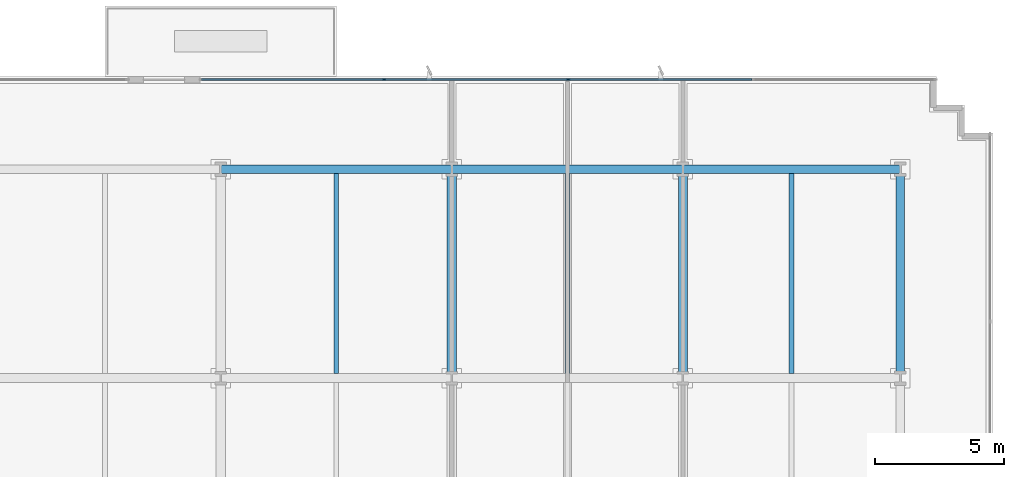
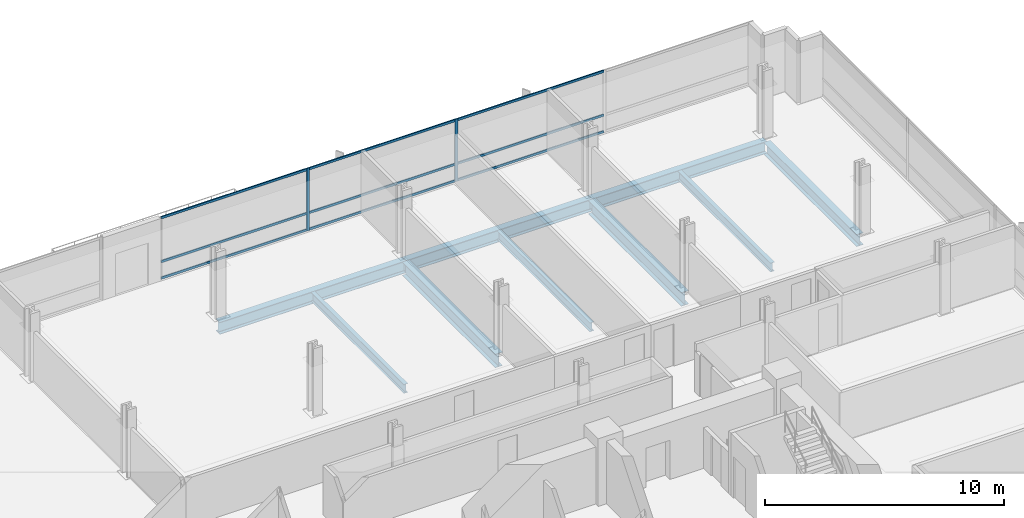
# One storey, part 10 of 21: 11 members, 9 beams, 1 element without a shape of its own.
"""IFC4 building model written with IfcOpenShell, lengths in metres."""

from ifc_helpers import new_model, si_unit, direction, frame, origin, origin_2d, place, context, subcontext, project, spatial, rectangle, i_section, extrude, material, material_profile, profile_set, type_object, element, aggregate, save


model = new_model("IFC4")

# Units and contexts
model_context = context("Model", 3, precision=1e-05, world=origin(), true_north=direction((0.0, 1.0)))
body_context = subcontext(model_context, "Body", "Model", "MODEL_VIEW")
ifc_project = project(units=[si_unit("LENGTHUNIT", "METRE"), si_unit("AREAUNIT", "SQUARE_METRE"), si_unit("VOLUMEUNIT", "CUBIC_METRE"), si_unit("PLANEANGLEUNIT", "RADIAN"), si_unit("MASSUNIT", "GRAM", prefix="KILO")], contexts=[model_context])

# Site, building, storey
site_placement = place(None, origin())
site = spatial("IfcSite", under=ifc_project, at=site_placement, CompositionType="ELEMENT")
building_placement = place(site_placement, origin())
building = spatial("IfcBuilding", under=site, at=building_placement, Name="Solmavex Isthmus Hotel", CompositionType="ELEMENT")
storey_placement = place(building_placement, frame((0.0, 0.0, 54.0)))
storey = spatial("IfcBuildingStorey", under=building, at=storey_placement, Name="L14", CompositionType="ELEMENT", Elevation=54.0)

# Beams
ifc_material_1 = material(Name="Steel ASTM A992 Grade 50", Category="steel")
ifc_material_profile_1 = material_profile(ifc_material_1, i_section(OverallWidth=0.354736328125, OverallDepth=0.695556640625, WebThickness=0.015380859375, FlangeThickness=0.02490234375, FilletRadius=0.017822265625, at=origin_2d()), Name="W27X146")
ifc_profile_set_1 = profile_set([ifc_material_profile_1], Name="Steel ASTM A992 Grade 50")
beam_type_1 = type_object("IfcBeamType", Name="BM-BG-W27X146", PredefinedType="BEAM", material=ifc_profile_set_1)
for number, where, z_axis, x_axis, name in (
    (1, (8.97607421875, 8.96533203125, -0.607666015625), (0.0, 1.0, 0.0), (-1.0, 0.0, 0.0), "Floor Beam L14-VG42"),
    (2, (17.951904296875, 8.96533203125, -0.607666015625), (0.0, 1.0, 0.0), (-1.0, 0.0, 0.0), "Floor Beam L14-VG45"),
):
    element("IfcBeam", number, at=place(storey_placement, frame(where, z_axis=z_axis, x_axis=x_axis)), inside=storey, type_object=beam_type_1, Name=name, PredefinedType="BEAM", context=body_context, shape_type="SweptSolid", body=[
        extrude(i_section(OverallWidth=0.354736328125, OverallDepth=0.695556640625, WebThickness=0.015380859375, FlangeThickness=0.02490234375, FilletRadius=0.017822265625, at=origin_2d()), origin(), (0.0, 0.0, 1.0), 7.771484375),
    ])
ifc_material_profile_2 = material_profile(ifc_material_1, i_section(OverallWidth=0.1904296875, OverallDepth=0.456787109375, WebThickness=0.009033203125, FlangeThickness=0.014404296875, FilletRadius=0.0126953125, at=origin_2d()), Name="W18X50")
ifc_profile_set_2 = profile_set([ifc_material_profile_2], Name="Steel ASTM A992 Grade 50")
beam_type_2 = type_object("IfcBeamType", Name="BM-BJ-W18X50", PredefinedType="JOIST", material=ifc_profile_set_2)
for number, where, z_axis, x_axis, name in (
    (3, (4.488037109375, 8.96533203125, -0.488525390625), (0.0, 1.0, 0.0), (-1.0, 0.0, 0.0), "Secondary Floor Joist L14-J15"),
    (4, (13.464111328125, 8.96533203125, -0.488525390625), (0.0, 1.0, 0.0), (-1.0, 0.0, 0.0), "Secondary Floor Joist L14-J19"),
    (5, (22.176025390625, 8.96533203125, -0.488525390625), (0.0, 1.0, 0.0), (-1.0, 0.0, 0.0), "Secondary Floor Joist L14-J22"),
):
    element("IfcBeam", number, at=place(storey_placement, frame(where, z_axis=z_axis, x_axis=x_axis)), inside=storey, type_object=beam_type_2, Name=name, PredefinedType="JOIST", context=body_context, shape_type="SweptSolid", body=[
        extrude(i_section(OverallWidth=0.1904296875, OverallDepth=0.456787109375, WebThickness=0.009033203125, FlangeThickness=0.014404296875, FilletRadius=0.0126953125, at=origin_2d()), origin(), (0.0, 0.0, 1.0), 7.771484375),
    ])
ifc_material_profile_3 = material_profile(ifc_material_1, i_section(OverallWidth=0.326416015625, OverallDepth=0.621826171875, WebThickness=0.015380859375, FlangeThickness=0.0244140625, FilletRadius=0.01513671875, at=origin_2d()), Name="W24X131")
ifc_profile_set_3 = profile_set([ifc_material_profile_3], Name="Steel ASTM A992 Grade 50")
beam_type_3 = type_object("IfcBeamType", Name="BM-SP-W24X131", PredefinedType="SPANDREL", material=ifc_profile_set_3)
beam_1_placement = place(storey_placement, frame((0.0, 16.89990234375, -0.57080078125), z_axis=(1.0, 0.0, 0.0), x_axis=(0.0, 1.0, 0.0)))
element("IfcBeam", 6, at=beam_1_placement, inside=storey, type_object=beam_type_3, Name="Floor Girder L14-UG22", PredefinedType="SPANDREL", context=body_context, shape_type="SweptSolid", body=[
    extrude(i_section(OverallWidth=0.326416015625, OverallDepth=0.621826171875, WebThickness=0.015380859375, FlangeThickness=0.0244140625, FilletRadius=0.01513671875, at=origin_2d()), origin(), (0.0, 0.0, 1.0), 8.97607421875),
])
beam_2_placement = place(storey_placement, frame((8.97607421875, 16.89990234375, -0.57080078125), z_axis=(1.0, 0.0, 0.0), x_axis=(0.0, 1.0, 0.0)))
element("IfcBeam", 7, at=beam_2_placement, inside=storey, type_object=beam_type_3, Name="Floor Girder L14-UG23", PredefinedType="SPANDREL", context=body_context, shape_type="SweptSolid", body=[
    extrude(i_section(OverallWidth=0.326416015625, OverallDepth=0.621826171875, WebThickness=0.015380859375, FlangeThickness=0.0244140625, FilletRadius=0.01513671875, at=origin_2d()), origin(), (0.0, 0.0, 1.0), 8.975830078125),
])
beam_3_placement = place(storey_placement, frame((17.951904296875, 16.89990234375, -0.57080078125), z_axis=(1.0, 0.0, 0.0), x_axis=(0.0, 1.0, 0.0)))
element("IfcBeam", 8, at=beam_3_placement, inside=storey, type_object=beam_type_3, Name="Floor Girder L14-UG24", PredefinedType="SPANDREL", context=body_context, shape_type="SweptSolid", body=[
    extrude(i_section(OverallWidth=0.326416015625, OverallDepth=0.621826171875, WebThickness=0.015380859375, FlangeThickness=0.0244140625, FilletRadius=0.01513671875, at=origin_2d()), origin(), (0.0, 0.0, 1.0), 8.447998046875),
])
beam_4_placement = place(storey_placement, frame((26.39990234375, 8.96533203125, -0.57080078125), z_axis=(0.0, 1.0, 0.0), x_axis=(-1.0, 0.0, 0.0)))
element("IfcBeam", 9, at=beam_4_placement, inside=storey, type_object=beam_type_3, Name="Floor Beam L14-VG48", PredefinedType="SPANDREL", context=body_context, shape_type="SweptSolid", body=[
    extrude(i_section(OverallWidth=0.326416015625, OverallDepth=0.621826171875, WebThickness=0.015380859375, FlangeThickness=0.0244140625, FilletRadius=0.01513671875, at=origin_2d()), origin(), (0.0, 0.0, 1.0), 7.771484375),
])

# Curtain wall, members
ifc_material_2 = material(Name="Aluminium alloy 6063-T6", Category="aluminium")
curtain_wall_type = type_object("IfcCurtainWallType", Name="CW-SYS-06", PredefinedType="NOTDEFINED", material=ifc_material_2)
curtain_wall_placement = place(storey_placement, origin())
curtain_wall = element("IfcCurtainWall", 10, at=curtain_wall_placement, inside=storey, type_object=curtain_wall_type, Name="Stick Curtain Wall CWL-L14-N3", PredefinedType="NOTDEFINED")
ifc_material_profile_4 = material_profile(ifc_material_2, rectangle(XDim=0.06005859375, YDim=0.139892578125, at=origin_2d()), Name="CWM-60X140")
ifc_profile_set_4 = profile_set([ifc_material_profile_4], Name="Aluminium alloy 6063-T6")
member_type_1 = type_object("IfcMemberType", Name="CW-SYS-06-MUL", PredefinedType="MULLION", material=ifc_profile_set_4)
member_1_placement = place(storey_placement, frame((6.35009765625, 20.3798828125, 0.0), z_axis=(0.0, 0.0, 1.0), x_axis=(0.0, 1.0, 0.0)))
member_1 = element("IfcMember", 11, at=member_1_placement, type_object=member_type_1, Name="CW-06 mullion 2", PredefinedType="MULLION", context=body_context, shape_type="SweptSolid", body=[
    extrude(rectangle(XDim=0.06005859375, YDim=0.139892578125, at=origin_2d()), origin(), (0.0, 0.0, 1.0), 3.18994140625),
])
member_2_placement = place(storey_placement, frame((13.5, 20.3798828125, 0.0), z_axis=(0.0, 0.0, 1.0), x_axis=(0.0, 1.0, 0.0)))
member_2 = element("IfcMember", 12, at=member_2_placement, type_object=member_type_1, Name="CW-06 mullion 3", PredefinedType="MULLION", context=body_context, shape_type="SweptSolid", body=[
    extrude(rectangle(XDim=0.06005859375, YDim=0.139892578125, at=origin_2d()), origin(), (0.0, 0.0, 1.0), 3.18994140625),
])
ifc_material_profile_5 = material_profile(ifc_material_2, rectangle(XDim=0.06005859375, YDim=0.114990234375, at=origin_2d()), Name="CWT-60X115")
ifc_profile_set_5 = profile_set([ifc_material_profile_5], Name="Aluminium alloy 6063-T6")
member_type_2 = type_object("IfcMemberType", Name="CW-SYS-06-TRN", PredefinedType="USERDEFINED", material=ifc_profile_set_5)
member_3_placement = place(storey_placement, frame((-0.739990234375, 20.3798828125, 0.0576171875), z_axis=(1.0, 0.0, 0.0), x_axis=(0.0, 1.0, 0.0)))
member_3 = element("IfcMember", 13, at=member_3_placement, type_object=member_type_2, Name="CW-06 transom 1.1", ObjectType="TRANSOM", PredefinedType="USERDEFINED", context=body_context, shape_type="SweptSolid", body=[
    extrude(rectangle(XDim=0.06005859375, YDim=0.114990234375, at=origin_2d()), origin(), (0.0, 0.0, 1.0), 7.06005859375),
])
member_4_placement = place(storey_placement, frame((-0.739990234375, 20.3798828125, 0.89990234375), z_axis=(1.0, 0.0, 0.0), x_axis=(0.0, 1.0, 0.0)))
member_4 = element("IfcMember", 14, at=member_4_placement, type_object=member_type_2, Name="CW-06 transom 1.2", ObjectType="TRANSOM", PredefinedType="USERDEFINED", context=body_context, shape_type="SweptSolid", body=[
    extrude(rectangle(XDim=0.06005859375, YDim=0.114990234375, at=origin_2d()), origin(), (0.0, 0.0, 1.0), 7.06005859375),
])
member_5_placement = place(storey_placement, frame((-0.739990234375, 20.3798828125, 3.132568359375), z_axis=(1.0, 0.0, 0.0), x_axis=(0.0, 1.0, 0.0)))
member_5 = element("IfcMember", 15, at=member_5_placement, type_object=member_type_2, Name="CW-06 transom 1.3", ObjectType="TRANSOM", PredefinedType="USERDEFINED", context=body_context, shape_type="SweptSolid", body=[
    extrude(rectangle(XDim=0.06005859375, YDim=0.114990234375, at=origin_2d()), origin(), (0.0, 0.0, 1.0), 7.06005859375),
])
member_6_placement = place(storey_placement, frame((6.3798828125, 20.3798828125, 0.0576171875), z_axis=(1.0, 0.0, 0.0), x_axis=(0.0, 1.0, 0.0)))
member_6 = element("IfcMember", 16, at=member_6_placement, type_object=member_type_2, Name="CW-06 transom 2.1", ObjectType="TRANSOM", PredefinedType="USERDEFINED", context=body_context, shape_type="SweptSolid", body=[
    extrude(rectangle(XDim=0.06005859375, YDim=0.114990234375, at=origin_2d()), origin(), (0.0, 0.0, 1.0), 7.090087890625),
])
member_7_placement = place(storey_placement, frame((6.3798828125, 20.3798828125, 0.89990234375), z_axis=(1.0, 0.0, 0.0), x_axis=(0.0, 1.0, 0.0)))
member_7 = element("IfcMember", 17, at=member_7_placement, type_object=member_type_2, Name="CW-06 transom 2.2", ObjectType="TRANSOM", PredefinedType="USERDEFINED", context=body_context, shape_type="SweptSolid", body=[
    extrude(rectangle(XDim=0.06005859375, YDim=0.114990234375, at=origin_2d()), origin(), (0.0, 0.0, 1.0), 7.090087890625),
])
member_8_placement = place(storey_placement, frame((6.3798828125, 20.3798828125, 3.132568359375), z_axis=(1.0, 0.0, 0.0), x_axis=(0.0, 1.0, 0.0)))
member_8 = element("IfcMember", 18, at=member_8_placement, type_object=member_type_2, Name="CW-06 transom 2.3", ObjectType="TRANSOM", PredefinedType="USERDEFINED", context=body_context, shape_type="SweptSolid", body=[
    extrude(rectangle(XDim=0.06005859375, YDim=0.114990234375, at=origin_2d()), origin(), (0.0, 0.0, 1.0), 7.090087890625),
])
member_9_placement = place(storey_placement, frame((13.530029296875, 20.3798828125, 0.0576171875), z_axis=(1.0, 0.0, 0.0), x_axis=(0.0, 1.0, 0.0)))
member_9 = element("IfcMember", 19, at=member_9_placement, type_object=member_type_2, Name="CW-06 transom 3.1", ObjectType="TRANSOM", PredefinedType="USERDEFINED", context=body_context, shape_type="SweptSolid", body=[
    extrude(rectangle(XDim=0.06005859375, YDim=0.114990234375, at=origin_2d()), origin(), (0.0, 0.0, 1.0), 7.090087890625),
])
member_10_placement = place(storey_placement, frame((13.530029296875, 20.3798828125, 0.89990234375), z_axis=(1.0, 0.0, 0.0), x_axis=(0.0, 1.0, 0.0)))
member_10 = element("IfcMember", 20, at=member_10_placement, type_object=member_type_2, Name="CW-06 transom 3.2", ObjectType="TRANSOM", PredefinedType="USERDEFINED", context=body_context, shape_type="SweptSolid", body=[
    extrude(rectangle(XDim=0.06005859375, YDim=0.114990234375, at=origin_2d()), origin(), (0.0, 0.0, 1.0), 7.090087890625),
])
member_11_placement = place(storey_placement, frame((13.530029296875, 20.3798828125, 3.132568359375), z_axis=(1.0, 0.0, 0.0), x_axis=(0.0, 1.0, 0.0)))
member_11 = element("IfcMember", 21, at=member_11_placement, type_object=member_type_2, Name="CW-06 transom 3.3", ObjectType="TRANSOM", PredefinedType="USERDEFINED", context=body_context, shape_type="SweptSolid", body=[
    extrude(rectangle(XDim=0.06005859375, YDim=0.114990234375, at=origin_2d()), origin(), (0.0, 0.0, 1.0), 7.090087890625),
])
aggregate(curtain_wall, [member_1, member_2, member_3, member_4, member_5, member_6, member_7, member_8, member_9, member_10, member_11])

save(model, "model.ifc")
